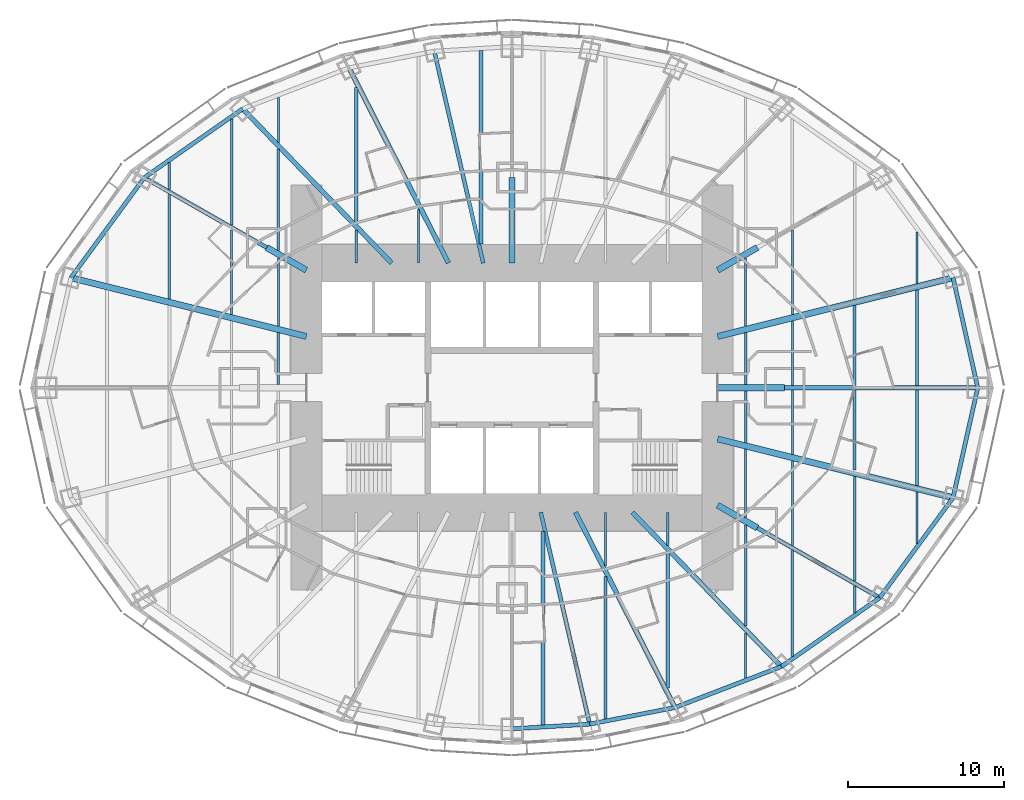
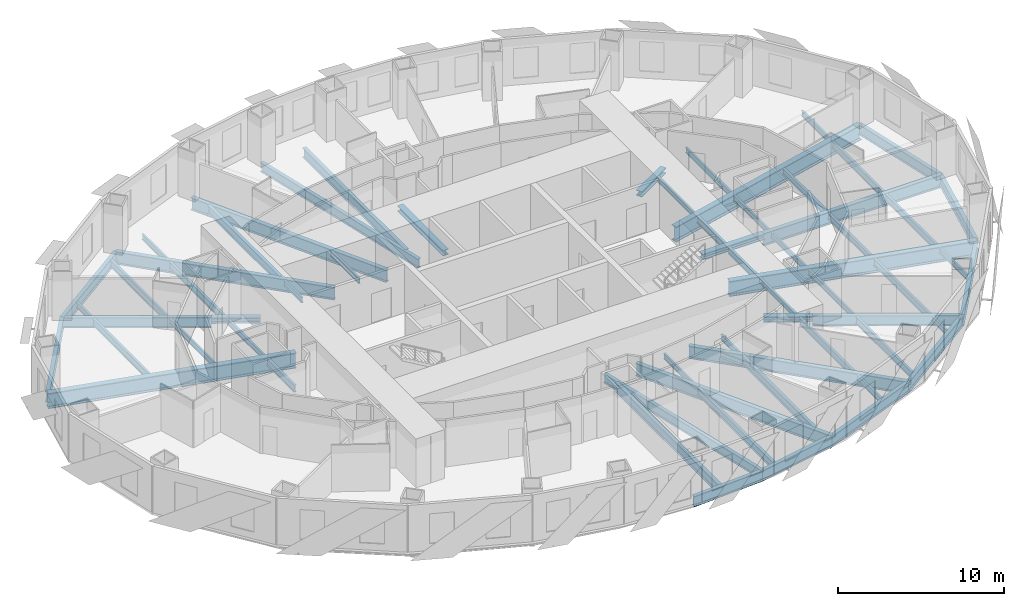
# One storey, part 2 of 15: 62 beams.
"""IFC4 building model written with IfcOpenShell, lengths in metres."""

from ifc_helpers import new_model, si_unit, direction, frame, origin, origin_2d, place, context, subcontext, project, spatial, i_section, extrude, material, material_profile, profile_set, type_object, element, save


model = new_model("IFC4")

# Units and contexts
model_context = context("Model", 3, precision=1e-05, world=origin(), true_north=direction((0.0, 1.0)))
body_context = subcontext(model_context, "Body", "Model", "MODEL_VIEW")
ifc_project = project(units=[si_unit("LENGTHUNIT", "METRE"), si_unit("AREAUNIT", "SQUARE_METRE"), si_unit("VOLUMEUNIT", "CUBIC_METRE"), si_unit("PLANEANGLEUNIT", "RADIAN"), si_unit("MASSUNIT", "GRAM", prefix="KILO")], contexts=[model_context])

# Site, building, storey
site_placement = place(None, origin())
site = spatial("IfcSite", under=ifc_project, at=site_placement, CompositionType="ELEMENT")
building_placement = place(site_placement, origin())
building = spatial("IfcBuilding", under=site, at=building_placement, Name="Lantaw Convention Tower", CompositionType="ELEMENT")
storey_placement = place(building_placement, frame((0.0, 0.0, 73.0)))
storey = spatial("IfcBuildingStorey", under=building, at=storey_placement, Name="L16", CompositionType="ELEMENT", Elevation=73.0)

# Beams
ifc_material = material(Name="Steel ASTM A992", Category="steel")
ifc_material_profile_1 = material_profile(ifc_material, i_section(OverallWidth=0.2666015625, OverallDepth=0.76953125, WebThickness=0.015625, FlangeThickness=0.025390625, FilletRadius=0.0126953125, at=origin_2d()), Name="W30X132")
ifc_profile_set_1 = profile_set([ifc_material_profile_1], Name="Steel ASTM A992")
beam_type_1 = type_object("IfcBeamType", Name="Beam E W30X132", PredefinedType="SPANDREL", material=ifc_profile_set_1)
beam_1_placement = place(storey_placement, frame((29.89990234375, 0.0, -0.534912109375), z_axis=(-0.218652184873, 0.975802860239, 0.0), x_axis=(-0.975802860239, -0.218652184873, 0.0)))
element("IfcBeam", 1, at=beam_1_placement, inside=storey, type_object=beam_type_1, Name="Edge beam 1", PredefinedType="SPANDREL", context=body_context, shape_type="SweptSolid", body=[
    extrude(i_section(OverallWidth=0.2666015625, OverallDepth=0.76953125, WebThickness=0.015625, FlangeThickness=0.025390625, FilletRadius=0.0126953125, at=origin_2d()), origin(), (0.0, 0.0, 1.0), 7.2353515625),
])
beam_2_placement = place(storey_placement, frame((-17.290771484375, 17.9052734375, -0.534912109375), z_axis=(-0.81942686407, -0.57318375277, 0.0), x_axis=(0.57318375277, -0.81942686407, 0.0)))
element("IfcBeam", 2, at=beam_2_placement, inside=storey, type_object=beam_type_1, Name="Edge beam 10", PredefinedType="SPANDREL", context=body_context, shape_type="SweptSolid", body=[
    extrude(i_section(OverallWidth=0.2666015625, OverallDepth=0.76953125, WebThickness=0.015625, FlangeThickness=0.025390625, FilletRadius=0.0126953125, at=origin_2d()), origin(), (0.0, 0.0, 1.0), 7.70556640625),
])
beam_3_placement = place(storey_placement, frame((-23.60498046875, 13.488525390625, -0.534912109375), z_axis=(-0.591270709086, -0.806473154281, 0.0), x_axis=(0.806473154281, -0.591270709086, 0.0)))
element("IfcBeam", 3, at=beam_3_placement, inside=storey, type_object=beam_type_1, Name="Edge beam 11", PredefinedType="SPANDREL", context=body_context, shape_type="SweptSolid", body=[
    extrude(i_section(OverallWidth=0.2666015625, OverallDepth=0.76953125, WebThickness=0.015625, FlangeThickness=0.025390625, FilletRadius=0.0126953125, at=origin_2d()), origin(), (0.0, 0.0, 1.0), 7.970703125),
])
beam_4_placement = place(storey_placement, frame((0.0, -21.89990234375, -0.534912109375), z_axis=(0.998173858406, 0.060406526096, 0.0), x_axis=(-0.060406526096, 0.998173858406, 0.0)))
element("IfcBeam", 4, at=beam_4_placement, inside=storey, type_object=beam_type_1, Name="Edge beam 19", PredefinedType="SPANDREL", context=body_context, shape_type="SweptSolid", body=[
    extrude(i_section(OverallWidth=0.2666015625, OverallDepth=0.76953125, WebThickness=0.015625, FlangeThickness=0.025390625, FilletRadius=0.0126953125, at=origin_2d()), origin(), (0.0, 0.0, 1.0), 4.995361328125),
])
beam_5_placement = place(storey_placement, frame((4.986328125, -21.59814453125, -0.534912109375), z_axis=(0.981636565323, 0.190760723474, 0.0), x_axis=(-0.190760723474, 0.981636565323, 0.0)))
element("IfcBeam", 5, at=beam_5_placement, inside=storey, type_object=beam_type_1, Name="Edge beam 20", PredefinedType="SPANDREL", context=body_context, shape_type="SweptSolid", body=[
    extrude(i_section(OverallWidth=0.2666015625, OverallDepth=0.76953125, WebThickness=0.015625, FlangeThickness=0.025390625, FilletRadius=0.0126953125, at=origin_2d()), origin(), (0.0, 0.0, 1.0), 5.578857421875),
])
beam_6_placement = place(storey_placement, frame((10.462646484375, -20.533935546875, -0.534912109375), z_axis=(0.933232900641, 0.359271976588, 0.0), x_axis=(-0.359271976588, 0.933232900641, 0.0)))
element("IfcBeam", 6, at=beam_6_placement, inside=storey, type_object=beam_type_1, Name="Edge beam 21", PredefinedType="SPANDREL", context=body_context, shape_type="SweptSolid", body=[
    extrude(i_section(OverallWidth=0.2666015625, OverallDepth=0.76953125, WebThickness=0.015625, FlangeThickness=0.025390625, FilletRadius=0.0126953125, at=origin_2d()), origin(), (0.0, 0.0, 1.0), 7.316650390625),
])
beam_7_placement = place(storey_placement, frame((17.290771484375, -17.9052734375, -0.534912109375), z_axis=(0.81942686407, 0.57318375277, 0.0), x_axis=(-0.57318375277, 0.81942686407, 0.0)))
element("IfcBeam", 7, at=beam_7_placement, inside=storey, type_object=beam_type_1, Name="Edge beam 22", PredefinedType="SPANDREL", context=body_context, shape_type="SweptSolid", body=[
    extrude(i_section(OverallWidth=0.2666015625, OverallDepth=0.76953125, WebThickness=0.015625, FlangeThickness=0.025390625, FilletRadius=0.0126953125, at=origin_2d()), origin(), (0.0, 0.0, 1.0), 7.70556640625),
])
beam_8_placement = place(storey_placement, frame((23.60498046875, -13.488525390625, -0.534912109375), z_axis=(0.591270709086, 0.806473154281, 0.0), x_axis=(-0.806473154281, 0.591270709086, 0.0)))
element("IfcBeam", 8, at=beam_8_placement, inside=storey, type_object=beam_type_1, Name="Edge beam 23", PredefinedType="SPANDREL", context=body_context, shape_type="SweptSolid", body=[
    extrude(i_section(OverallWidth=0.2666015625, OverallDepth=0.76953125, WebThickness=0.015625, FlangeThickness=0.025390625, FilletRadius=0.0126953125, at=origin_2d()), origin(), (0.0, 0.0, 1.0), 7.970703125),
])
beam_9_placement = place(storey_placement, frame((28.31787109375, -7.060302734375, -0.534912109375), z_axis=(0.218652184873, 0.975802860239, 0.0), x_axis=(-0.975802860239, 0.218652184873, 0.0)))
element("IfcBeam", 9, at=beam_9_placement, inside=storey, type_object=beam_type_1, Name="Edge beam 24", PredefinedType="SPANDREL", context=body_context, shape_type="SweptSolid", body=[
    extrude(i_section(OverallWidth=0.2666015625, OverallDepth=0.76953125, WebThickness=0.015625, FlangeThickness=0.025390625, FilletRadius=0.0126953125, at=origin_2d()), origin(), (0.0, 0.0, 1.0), 7.2353515625),
])
ifc_material_profile_2 = material_profile(ifc_material, i_section(OverallWidth=0.25390625, OverallDepth=0.683349609375, WebThickness=0.012451171875, FlangeThickness=0.01904296875, FilletRadius=0.01513671875, at=origin_2d()), Name="W27X94")
ifc_profile_set_2 = profile_set([ifc_material_profile_2], Name="Steel ASTM A992")
beam_type_2 = type_object("IfcBeamType", Name="Beam G W27X94", PredefinedType="BEAM", material=ifc_profile_set_2)
for number, where, z_axis, x_axis, name in (
    (10, (-1.846923828125, 8.0, -0.49169921875), (-0.224952773175, 0.97436966796, 0.0), (-0.97436966796, -0.224952773175, 0.0), "Floor girder on ray 8"),
    (11, (1.846923828125, -8.0, -0.49169921875), (0.224952773175, -0.97436966796, 0.0), (0.97436966796, 0.224952773175, 0.0), "Floor girder on ray 20"),
):
    element("IfcBeam", number, at=place(storey_placement, frame(where, z_axis=z_axis, x_axis=x_axis)), inside=storey, type_object=beam_type_2, Name=name, PredefinedType="BEAM", context=body_context, shape_type="SweptSolid", body=[
        extrude(i_section(OverallWidth=0.25390625, OverallDepth=0.683349609375, WebThickness=0.012451171875, FlangeThickness=0.01904296875, FilletRadius=0.01513671875, at=origin_2d()), origin(), (0.0, 0.0, 1.0), 13.955810546875),
    ])
ifc_material_profile_3 = material_profile(ifc_material, i_section(OverallWidth=0.2666015625, OverallDepth=0.7568359375, WebThickness=0.013916015625, FlangeThickness=0.019287109375, FilletRadius=0.0126953125, at=origin_2d()), Name="W30X108")
ifc_profile_set_3 = profile_set([ifc_material_profile_3], Name="Steel ASTM A992")
beam_type_3 = type_object("IfcBeamType", Name="Beam G W30X108", PredefinedType="BEAM", material=ifc_profile_set_3)
for number, where, z_axis, x_axis, name in (
    (12, (-15.75, 9.0, -0.528564453125), (-0.868244802791, 0.496136032179, 0.0), (-0.496136032179, -0.868244802791, 0.0), "Floor girder on ray 11"),
    (13, (15.75, -9.0, -0.528564453125), (0.868244802791, -0.496136032179, 0.0), (0.496136032179, 0.868244802791, 0.0), "Floor girder on ray 23"),
):
    element("IfcBeam", number, at=place(storey_placement, frame(where, z_axis=z_axis, x_axis=x_axis)), inside=storey, type_object=beam_type_3, Name=name, PredefinedType="BEAM", context=body_context, shape_type="SweptSolid", body=[
        extrude(i_section(OverallWidth=0.2666015625, OverallDepth=0.7568359375, WebThickness=0.013916015625, FlangeThickness=0.019287109375, FilletRadius=0.0126953125, at=origin_2d()), origin(), (0.0, 0.0, 1.0), 9.046875),
    ])
ifc_material_profile_4 = material_profile(ifc_material, i_section(OverallWidth=0.307373046875, OverallDepth=0.922119140625, WebThickness=0.018310546875, FlangeThickness=0.030029296875, FilletRadius=0.0126953125, at=origin_2d()), Name="W36X182")
ifc_profile_set_4 = profile_set([ifc_material_profile_4], Name="Steel ASTM A992")
beam_type_4 = type_object("IfcBeamType", Name="Beam G W36X182", PredefinedType="BEAM", material=ifc_profile_set_4)
beam_10_placement = place(storey_placement, frame((17.5, 0.0, -0.611083984375), z_axis=(1.0, 0.0, 0.0), x_axis=(0.0, 1.0, 0.0)))
element("IfcBeam", 14, at=beam_10_placement, inside=storey, type_object=beam_type_4, Name="Floor girder on ray 1", PredefinedType="BEAM", context=body_context, shape_type="SweptSolid", body=[
    extrude(i_section(OverallWidth=0.307373046875, OverallDepth=0.922119140625, WebThickness=0.018310546875, FlangeThickness=0.030029296875, FilletRadius=0.0126953125, at=origin_2d()), origin(), (0.0, 0.0, 1.0), 12.39990234375),
])
beam_11_placement = place(storey_placement, frame((-4.076171875, 8.0, -0.611083984375), z_axis=(-0.453997016122, 0.891003203896, 0.0), x_axis=(-0.891003203896, -0.453997016122, 0.0)))
element("IfcBeam", 15, at=beam_11_placement, inside=storey, type_object=beam_type_4, Name="Floor girder on ray 9", PredefinedType="BEAM", context=body_context, shape_type="SweptSolid", body=[
    extrude(i_section(OverallWidth=0.307373046875, OverallDepth=0.922119140625, WebThickness=0.018310546875, FlangeThickness=0.030029296875, FilletRadius=0.0126953125, at=origin_2d()), origin(), (0.0, 0.0, 1.0), 14.067138671875),
])
beam_12_placement = place(storey_placement, frame((-7.7255859375, 8.0, -0.611083984375), z_axis=(-0.694649884291, 0.719347995239, 0.0), x_axis=(-0.719347995239, -0.694649884291, 0.0)))
element("IfcBeam", 16, at=beam_12_placement, inside=storey, type_object=beam_type_4, Name="Floor girder on ray 10", PredefinedType="BEAM", context=body_context, shape_type="SweptSolid", body=[
    extrude(i_section(OverallWidth=0.307373046875, OverallDepth=0.922119140625, WebThickness=0.018310546875, FlangeThickness=0.030029296875, FilletRadius=0.0126953125, at=origin_2d()), origin(), (0.0, 0.0, 1.0), 13.769775390625),
])
beam_13_placement = place(storey_placement, frame((4.076171875, -8.0, -0.611083984375), z_axis=(0.453997016122, -0.891003203896, 0.0), x_axis=(0.891003203896, 0.453997016122, 0.0)))
element("IfcBeam", 17, at=beam_13_placement, inside=storey, type_object=beam_type_4, Name="Floor girder on ray 21", PredefinedType="BEAM", context=body_context, shape_type="SweptSolid", body=[
    extrude(i_section(OverallWidth=0.307373046875, OverallDepth=0.922119140625, WebThickness=0.018310546875, FlangeThickness=0.030029296875, FilletRadius=0.0126953125, at=origin_2d()), origin(), (0.0, 0.0, 1.0), 14.067138671875),
])
beam_14_placement = place(storey_placement, frame((7.7255859375, -8.0, -0.611083984375), z_axis=(0.694649884291, -0.719347995239, 0.0), x_axis=(0.719347995239, 0.694649884291, 0.0)))
element("IfcBeam", 18, at=beam_14_placement, inside=storey, type_object=beam_type_4, Name="Floor girder on ray 22", PredefinedType="BEAM", context=body_context, shape_type="SweptSolid", body=[
    extrude(i_section(OverallWidth=0.307373046875, OverallDepth=0.922119140625, WebThickness=0.018310546875, FlangeThickness=0.030029296875, FilletRadius=0.0126953125, at=origin_2d()), origin(), (0.0, 0.0, 1.0), 13.769775390625),
])
ifc_material_profile_5 = material_profile(ifc_material, i_section(OverallWidth=0.40380859375, OverallDepth=1.11767578125, WebThickness=0.026123046875, FlangeThickness=0.044921875, FilletRadius=0.02001953125, at=origin_2d()), Name="W44X335")
ifc_profile_set_5 = profile_set([ifc_material_profile_5], Name="Steel ASTM A992")
beam_type_5 = type_object("IfcBeamType", Name="Beam G W44X335", PredefinedType="BEAM", material=ifc_profile_set_5)
for number, where, z_axis, x_axis, name in (
    (19, (13.199951171875, 3.291015625, -0.708740234375), (0.970296233567, 0.241919860957, 0.0), (-0.241919860957, 0.970296233567, 0.0), "Floor girder on ray 2"),
    (20, (-13.199951171875, 3.291015625, -0.708740234375), (-0.970296233567, 0.241919860957, 0.0), (-0.241919860957, -0.970296233567, 0.0), "Floor girder on ray 12"),
    (21, (13.199951171875, -3.291015625, -0.708740234375), (0.970296233567, -0.241919860957, 0.0), (0.241919860957, 0.970296233567, 0.0), "Floor girder on ray 24"),
):
    element("IfcBeam", number, at=place(storey_placement, frame(where, z_axis=z_axis, x_axis=x_axis)), inside=storey, type_object=beam_type_5, Name=name, PredefinedType="BEAM", context=body_context, shape_type="SweptSolid", body=[
        extrude(i_section(OverallWidth=0.40380859375, OverallDepth=1.11767578125, WebThickness=0.026123046875, FlangeThickness=0.044921875, FilletRadius=0.02001953125, at=origin_2d()), origin(), (0.0, 0.0, 1.0), 15.580810546875),
    ])
ifc_material_profile_6 = material_profile(ifc_material, i_section(OverallWidth=0.40380859375, OverallDepth=0.406494140625, WebThickness=0.027099609375, FlangeThickness=0.043701171875, FilletRadius=0.01513671875, at=origin_2d()), Name="W14X233")
ifc_profile_set_6 = profile_set([ifc_material_profile_6], Name="Steel ASTM A992")
beam_type_6 = type_object("IfcBeamType", Name="Beam GM W14X233", PredefinedType="BEAM", material=ifc_profile_set_6)
beam_15_placement = place(storey_placement, frame((13.199951171875, 0.0, -0.353271484375), z_axis=(1.0, 0.0, 0.0), x_axis=(0.0, 1.0, 0.0)))
element("IfcBeam", 22, at=beam_15_placement, inside=storey, type_object=beam_type_6, Name="Core link beam on ray 1", PredefinedType="BEAM", context=body_context, shape_type="SweptSolid", body=[
    extrude(i_section(OverallWidth=0.40380859375, OverallDepth=0.406494140625, WebThickness=0.027099609375, FlangeThickness=0.043701171875, FilletRadius=0.01513671875, at=origin_2d()), origin(), (0.0, 0.0, 1.0), 4.300048828125),
])
beam_16_placement = place(storey_placement, frame((13.199951171875, 7.54296875, -0.353271484375), z_axis=(0.868263603466, 0.496103129295, 0.0), x_axis=(-0.496103129295, 0.868263603466, 0.0)))
element("IfcBeam", 23, at=beam_16_placement, inside=storey, type_object=beam_type_6, Name="Core link beam on ray 3", PredefinedType="BEAM", context=body_context, shape_type="SweptSolid", body=[
    extrude(i_section(OverallWidth=0.40380859375, OverallDepth=0.406494140625, WebThickness=0.027099609375, FlangeThickness=0.043701171875, FilletRadius=0.01513671875, at=origin_2d()), origin(), (0.0, 0.0, 1.0), 2.93701171875),
])
beam_17_placement = place(storey_placement, frame((0.0, 8.0, -0.353271484375), z_axis=(0.0, 1.0, 0.0), x_axis=(-1.0, 0.0, 0.0)))
element("IfcBeam", 24, at=beam_17_placement, inside=storey, type_object=beam_type_6, Name="Core link beam on ray 7", PredefinedType="BEAM", context=body_context, shape_type="SweptSolid", body=[
    extrude(i_section(OverallWidth=0.40380859375, OverallDepth=0.406494140625, WebThickness=0.027099609375, FlangeThickness=0.043701171875, FilletRadius=0.01513671875, at=origin_2d()), origin(), (0.0, 0.0, 1.0), 5.5),
])
for number, where, z_axis, x_axis, name in (
    (25, (-13.199951171875, 7.54296875, -0.353271484375), (-0.868263603466, 0.496103129295, 0.0), (-0.496103129295, -0.868263603466, 0.0), "Core link beam on ray 11"),
    (26, (13.199951171875, -7.54296875, -0.353271484375), (0.868263603466, -0.496103129295, 0.0), (0.496103129295, 0.868263603466, 0.0), "Core link beam on ray 23"),
):
    element("IfcBeam", number, at=place(storey_placement, frame(where, z_axis=z_axis, x_axis=x_axis)), inside=storey, type_object=beam_type_6, Name=name, PredefinedType="BEAM", context=body_context, shape_type="SweptSolid", body=[
        extrude(i_section(OverallWidth=0.40380859375, OverallDepth=0.406494140625, WebThickness=0.027099609375, FlangeThickness=0.043701171875, FilletRadius=0.01513671875, at=origin_2d()), origin(), (0.0, 0.0, 1.0), 2.93701171875),
    ])
ifc_material_profile_7 = material_profile(ifc_material, i_section(OverallWidth=0.140380859375, OverallDepth=0.40380859375, WebThickness=0.007080078125, FlangeThickness=0.01123046875, FilletRadius=0.01025390625, at=origin_2d()), Name="W16X31")
ifc_profile_set_7 = profile_set([ifc_material_profile_7], Name="Steel ASTM A992")
beam_type_7 = type_object("IfcBeamType", Name="Beam J W16X31", PredefinedType="JOIST", material=ifc_profile_set_7)
beam_18_placement = place(storey_placement, frame((-22.0, 12.72509765625, -0.35205078125), z_axis=(0.0, 1.0, 0.0), x_axis=(-1.0, 0.0, 0.0)))
element("IfcBeam", 27, at=beam_18_placement, inside=storey, type_object=beam_type_7, Name="Floor joist", PredefinedType="JOIST", context=body_context, shape_type="SweptSolid", body=[
    extrude(i_section(OverallWidth=0.140380859375, OverallDepth=0.40380859375, WebThickness=0.007080078125, FlangeThickness=0.01123046875, FilletRadius=0.01025390625, at=origin_2d()), origin(), (0.0, 0.0, 1.0), 1.723388671875),
])
beam_19_placement = place(storey_placement, frame((-18.0, 4.696044921875, -0.35205078125), z_axis=(0.0, 1.0, 0.0), x_axis=(-1.0, 0.0, 0.0)))
element("IfcBeam", 28, at=beam_19_placement, inside=storey, type_object=beam_type_7, Name="Floor joist", PredefinedType="JOIST", context=body_context, shape_type="SweptSolid", body=[
    extrude(i_section(OverallWidth=0.140380859375, OverallDepth=0.40380859375, WebThickness=0.007080078125, FlangeThickness=0.01123046875, FilletRadius=0.01025390625, at=origin_2d()), origin(), (0.0, 0.0, 1.0), 5.43603515625),
])
beam_20_placement = place(storey_placement, frame((-15.0, 3.947998046875, -0.35205078125), z_axis=(0.0, 1.0, 0.0), x_axis=(-1.0, 0.0, 0.0)))
element("IfcBeam", 29, at=beam_20_placement, inside=storey, type_object=beam_type_7, Name="Floor joist", PredefinedType="JOIST", context=body_context, shape_type="SweptSolid", body=[
    extrude(i_section(OverallWidth=0.140380859375, OverallDepth=0.40380859375, WebThickness=0.007080078125, FlangeThickness=0.01123046875, FilletRadius=0.01025390625, at=origin_2d()), origin(), (0.0, 0.0, 1.0), 4.390869140625),
])
beam_21_placement = place(storey_placement, frame((-15.0, 15.754150390625, -0.35205078125), z_axis=(0.0, 1.0, 0.0), x_axis=(-1.0, 0.0, 0.0)))
element("IfcBeam", 30, at=beam_21_placement, inside=storey, type_object=beam_type_7, Name="Floor joist", PredefinedType="JOIST", context=body_context, shape_type="SweptSolid", body=[
    extrude(i_section(OverallWidth=0.140380859375, OverallDepth=0.40380859375, WebThickness=0.007080078125, FlangeThickness=0.01123046875, FilletRadius=0.01025390625, at=origin_2d()), origin(), (0.0, 0.0, 1.0), 2.89013671875),
])
beam_22_placement = place(storey_placement, frame((-10.0, 8.0, -0.35205078125), z_axis=(0.0, 1.0, 0.0), x_axis=(-1.0, 0.0, 0.0)))
element("IfcBeam", 31, at=beam_22_placement, inside=storey, type_object=beam_type_7, Name="Floor joist", PredefinedType="JOIST", context=body_context, shape_type="SweptSolid", body=[
    extrude(i_section(OverallWidth=0.140380859375, OverallDepth=0.40380859375, WebThickness=0.007080078125, FlangeThickness=0.01123046875, FilletRadius=0.01025390625, at=origin_2d()), origin(), (0.0, 0.0, 1.0), 2.134033203125),
])
for number, where, z_axis, x_axis, name in (
    (32, (-6.0, 8.0, -0.35205078125), (0.0, 1.0, 0.0), (-1.0, 0.0, 0.0), "Floor joist"),
    (33, (6.0, -11.437255859375, -0.35205078125), (0.0, 1.0, 0.0), (-1.0, 0.0, 0.0), "Floor joist"),
):
    element("IfcBeam", number, at=place(storey_placement, frame(where, z_axis=z_axis, x_axis=x_axis)), inside=storey, type_object=beam_type_7, Name=name, PredefinedType="JOIST", context=body_context, shape_type="SweptSolid", body=[
        extrude(i_section(OverallWidth=0.140380859375, OverallDepth=0.40380859375, WebThickness=0.007080078125, FlangeThickness=0.01123046875, FilletRadius=0.01025390625, at=origin_2d()), origin(), (0.0, 0.0, 1.0), 3.437255859375),
    ])
beam_23_placement = place(storey_placement, frame((10.0, -10.134033203125, -0.35205078125), z_axis=(0.0, 1.0, 0.0), x_axis=(-1.0, 0.0, 0.0)))
element("IfcBeam", 34, at=beam_23_placement, inside=storey, type_object=beam_type_7, Name="Floor joist", PredefinedType="JOIST", context=body_context, shape_type="SweptSolid", body=[
    extrude(i_section(OverallWidth=0.140380859375, OverallDepth=0.40380859375, WebThickness=0.007080078125, FlangeThickness=0.01123046875, FilletRadius=0.01025390625, at=origin_2d()), origin(), (0.0, 0.0, 1.0), 2.134033203125),
])
beam_24_placement = place(storey_placement, frame((15.0, -18.644287109375, -0.35205078125), z_axis=(0.0, 1.0, 0.0), x_axis=(-1.0, 0.0, 0.0)))
element("IfcBeam", 35, at=beam_24_placement, inside=storey, type_object=beam_type_7, Name="Floor joist", PredefinedType="JOIST", context=body_context, shape_type="SweptSolid", body=[
    extrude(i_section(OverallWidth=0.140380859375, OverallDepth=0.40380859375, WebThickness=0.007080078125, FlangeThickness=0.01123046875, FilletRadius=0.01025390625, at=origin_2d()), origin(), (0.0, 0.0, 1.0), 2.89013671875),
])
for number, where, z_axis, x_axis, name in (
    (36, (15.0, -8.3388671875, -0.35205078125), (0.0, 1.0, 0.0), (-1.0, 0.0, 0.0), "Floor joist"),
    (37, (15.0, 3.947998046875, -0.35205078125), (0.0, 1.0, 0.0), (-1.0, 0.0, 0.0), "Floor joist"),
):
    element("IfcBeam", number, at=place(storey_placement, frame(where, z_axis=z_axis, x_axis=x_axis)), inside=storey, type_object=beam_type_7, Name=name, PredefinedType="JOIST", context=body_context, shape_type="SweptSolid", body=[
        extrude(i_section(OverallWidth=0.140380859375, OverallDepth=0.40380859375, WebThickness=0.007080078125, FlangeThickness=0.01123046875, FilletRadius=0.01025390625, at=origin_2d()), origin(), (0.0, 0.0, 1.0), 4.390869140625),
    ])
beam_25_placement = place(storey_placement, frame((18.0, -10.132080078125, -0.35205078125), z_axis=(0.0, 1.0, 0.0), x_axis=(-1.0, 0.0, 0.0)))
element("IfcBeam", 38, at=beam_25_placement, inside=storey, type_object=beam_type_7, Name="Floor joist", PredefinedType="JOIST", context=body_context, shape_type="SweptSolid", body=[
    extrude(i_section(OverallWidth=0.140380859375, OverallDepth=0.40380859375, WebThickness=0.007080078125, FlangeThickness=0.01123046875, FilletRadius=0.01025390625, at=origin_2d()), origin(), (0.0, 0.0, 1.0), 5.43603515625),
])
for number, where, z_axis, x_axis, name in (
    (39, (18.0, -4.27978515625, -0.35205078125), (0.0, 1.0, 0.0), (-1.0, 0.0, 0.0), "Floor joist"),
    (40, (18.0, 0.153564453125, -0.35205078125), (0.0, 1.0, 0.0), (-1.0, 0.0, 0.0), "Floor joist"),
):
    element("IfcBeam", number, at=place(storey_placement, frame(where, z_axis=z_axis, x_axis=x_axis)), inside=storey, type_object=beam_type_7, Name=name, PredefinedType="JOIST", context=body_context, shape_type="SweptSolid", body=[
        extrude(i_section(OverallWidth=0.140380859375, OverallDepth=0.40380859375, WebThickness=0.007080078125, FlangeThickness=0.01123046875, FilletRadius=0.01025390625, at=origin_2d()), origin(), (0.0, 0.0, 1.0), 4.126220703125),
    ])
beam_26_placement = place(storey_placement, frame((18.0, 4.696044921875, -0.35205078125), z_axis=(0.0, 1.0, 0.0), x_axis=(-1.0, 0.0, 0.0)))
element("IfcBeam", 41, at=beam_26_placement, inside=storey, type_object=beam_type_7, Name="Floor joist", PredefinedType="JOIST", context=body_context, shape_type="SweptSolid", body=[
    extrude(i_section(OverallWidth=0.140380859375, OverallDepth=0.40380859375, WebThickness=0.007080078125, FlangeThickness=0.01123046875, FilletRadius=0.01025390625, at=origin_2d()), origin(), (0.0, 0.0, 1.0), 5.43603515625),
])
beam_27_placement = place(storey_placement, frame((22.0, -14.448486328125, -0.35205078125), z_axis=(0.0, 1.0, 0.0), x_axis=(-1.0, 0.0, 0.0)))
element("IfcBeam", 42, at=beam_27_placement, inside=storey, type_object=beam_type_7, Name="Floor joist", PredefinedType="JOIST", context=body_context, shape_type="SweptSolid", body=[
    extrude(i_section(OverallWidth=0.140380859375, OverallDepth=0.40380859375, WebThickness=0.007080078125, FlangeThickness=0.01123046875, FilletRadius=0.01025390625, at=origin_2d()), origin(), (0.0, 0.0, 1.0), 1.723388671875),
])
for number, where, z_axis, x_axis, name in (
    (43, (26.0, -9.996337890625, -0.35205078125), (0.0, 1.0, 0.0), (-1.0, 0.0, 0.0), "Floor joist"),
    (44, (26.0, 6.690673828125, -0.35205078125), (0.0, 1.0, 0.0), (-1.0, 0.0, 0.0), "Floor joist"),
):
    element("IfcBeam", number, at=place(storey_placement, frame(where, z_axis=z_axis, x_axis=x_axis)), inside=storey, type_object=beam_type_7, Name=name, PredefinedType="JOIST", context=body_context, shape_type="SweptSolid", body=[
        extrude(i_section(OverallWidth=0.140380859375, OverallDepth=0.40380859375, WebThickness=0.007080078125, FlangeThickness=0.01123046875, FilletRadius=0.01025390625, at=origin_2d()), origin(), (0.0, 0.0, 1.0), 3.3056640625),
    ])
ifc_material_profile_8 = material_profile(ifc_material, i_section(OverallWidth=0.1904296875, OverallDepth=0.457275390625, WebThickness=0.009033203125, FlangeThickness=0.014404296875, FilletRadius=0.01025390625, at=origin_2d()), Name="W18X50")
ifc_profile_set_8 = profile_set([ifc_material_profile_8], Name="Steel ASTM A992")
beam_type_8 = type_object("IfcBeamType", Name="Beam J W18X50", PredefinedType="JOIST", material=ifc_profile_set_8)
for number, where, z_axis, x_axis, name in (
    (45, (22.0, -5.277099609375, -0.378662109375), (0.0, 1.0, 0.0), (-1.0, 0.0, 0.0), "Floor joist"),
    (46, (22.0, 0.153564453125, -0.378662109375), (0.0, 1.0, 0.0), (-1.0, 0.0, 0.0), "Floor joist"),
):
    element("IfcBeam", number, at=place(storey_placement, frame(where, z_axis=z_axis, x_axis=x_axis)), inside=storey, type_object=beam_type_8, Name=name, PredefinedType="JOIST", context=body_context, shape_type="SweptSolid", body=[
        extrude(i_section(OverallWidth=0.1904296875, OverallDepth=0.457275390625, WebThickness=0.009033203125, FlangeThickness=0.014404296875, FilletRadius=0.01025390625, at=origin_2d()), origin(), (0.0, 0.0, 1.0), 5.12353515625),
    ])
ifc_material_profile_9 = material_profile(ifc_material, i_section(OverallWidth=0.1650390625, OverallDepth=0.52587890625, WebThickness=0.0087890625, FlangeThickness=0.011474609375, FilletRadius=0.0126953125, at=origin_2d()), Name="W21X44")
ifc_profile_set_9 = profile_set([ifc_material_profile_9], Name="Steel ASTM A992")
beam_type_9 = type_object("IfcBeamType", Name="Beam J W21X44", PredefinedType="JOIST", material=ifc_profile_set_9)
beam_28_placement = place(storey_placement, frame((-22.0, 5.693359375, -0.412841796875), z_axis=(0.0, 1.0, 0.0), x_axis=(-1.0, 0.0, 0.0)))
element("IfcBeam", 47, at=beam_28_placement, inside=storey, type_object=beam_type_9, Name="Floor joist", PredefinedType="JOIST", context=body_context, shape_type="SweptSolid", body=[
    extrude(i_section(OverallWidth=0.1650390625, OverallDepth=0.52587890625, WebThickness=0.0087890625, FlangeThickness=0.011474609375, FilletRadius=0.0126953125, at=origin_2d()), origin(), (0.0, 0.0, 1.0), 6.724609375),
])
beam_29_placement = place(storey_placement, frame((-18.0, 10.439208984375, -0.412841796875), z_axis=(0.0, 1.0, 0.0), x_axis=(-1.0, 0.0, 0.0)))
element("IfcBeam", 48, at=beam_29_placement, inside=storey, type_object=beam_type_9, Name="Floor joist", PredefinedType="JOIST", context=body_context, shape_type="SweptSolid", body=[
    extrude(i_section(OverallWidth=0.1650390625, OverallDepth=0.52587890625, WebThickness=0.0087890625, FlangeThickness=0.011474609375, FilletRadius=0.0126953125, at=origin_2d()), origin(), (0.0, 0.0, 1.0), 6.80712890625),
])
for number, where, z_axis, x_axis, name in (
    (49, (-15.0, 8.803955078125, -0.412841796875), (0.0, 1.0, 0.0), (-1.0, 0.0, 0.0), "Floor joist"),
    (50, (15.0, -15.311767578125, -0.412841796875), (0.0, 1.0, 0.0), (-1.0, 0.0, 0.0), "Floor joist"),
):
    element("IfcBeam", number, at=place(storey_placement, frame(where, z_axis=z_axis, x_axis=x_axis)), inside=storey, type_object=beam_type_9, Name=name, PredefinedType="JOIST", context=body_context, shape_type="SweptSolid", body=[
        extrude(i_section(OverallWidth=0.1650390625, OverallDepth=0.52587890625, WebThickness=0.0087890625, FlangeThickness=0.011474609375, FilletRadius=0.0126953125, at=origin_2d()), origin(), (0.0, 0.0, 1.0), 6.5078125),
    ])
beam_30_placement = place(storey_placement, frame((18.0, -17.246337890625, -0.412841796875), z_axis=(0.0, 1.0, 0.0), x_axis=(-1.0, 0.0, 0.0)))
element("IfcBeam", 51, at=beam_30_placement, inside=storey, type_object=beam_type_9, Name="Floor joist", PredefinedType="JOIST", context=body_context, shape_type="SweptSolid", body=[
    extrude(i_section(OverallWidth=0.1650390625, OverallDepth=0.52587890625, WebThickness=0.0087890625, FlangeThickness=0.011474609375, FilletRadius=0.0126953125, at=origin_2d()), origin(), (0.0, 0.0, 1.0), 6.80712890625),
])
beam_31_placement = place(storey_placement, frame((22.0, -12.41796875, -0.412841796875), z_axis=(0.0, 1.0, 0.0), x_axis=(-1.0, 0.0, 0.0)))
element("IfcBeam", 52, at=beam_31_placement, inside=storey, type_object=beam_type_9, Name="Floor joist", PredefinedType="JOIST", context=body_context, shape_type="SweptSolid", body=[
    extrude(i_section(OverallWidth=0.1650390625, OverallDepth=0.52587890625, WebThickness=0.0087890625, FlangeThickness=0.011474609375, FilletRadius=0.0126953125, at=origin_2d()), origin(), (0.0, 0.0, 1.0), 6.724609375),
])
ifc_material_profile_10 = material_profile(ifc_material, i_section(OverallWidth=0.165771484375, OverallDepth=0.5283203125, WebThickness=0.009765625, FlangeThickness=0.013671875, FilletRadius=0.012939453125, at=origin_2d()), Name="W21X50")
ifc_profile_set_10 = profile_set([ifc_material_profile_10], Name="Steel ASTM A992")
beam_type_10 = type_object("IfcBeamType", Name="Beam J W21X50", PredefinedType="JOIST", material=ifc_profile_set_10)
for number, where, z_axis, x_axis, name in (
    (53, (-15.0, 0.201904296875, -0.4140625), (0.0, 1.0, 0.0), (-1.0, 0.0, 0.0), "Floor joist"),
    (54, (15.0, -3.53173828125, -0.4140625), (0.0, 1.0, 0.0), (-1.0, 0.0, 0.0), "Floor joist"),
    (55, (15.0, 0.201904296875, -0.4140625), (0.0, 1.0, 0.0), (-1.0, 0.0, 0.0), "Floor joist"),
):
    element("IfcBeam", number, at=place(storey_placement, frame(where, z_axis=z_axis, x_axis=x_axis)), inside=storey, type_object=beam_type_10, Name=name, PredefinedType="JOIST", context=body_context, shape_type="SweptSolid", body=[
        extrude(i_section(OverallWidth=0.165771484375, OverallDepth=0.5283203125, WebThickness=0.009765625, FlangeThickness=0.013671875, FilletRadius=0.012939453125, at=origin_2d()), origin(), (0.0, 0.0, 1.0), 3.329833984375),
    ])
for number, where, z_axis, x_axis, name in (
    (56, (26.0, -6.2744140625, -0.4140625), (0.0, 1.0, 0.0), (-1.0, 0.0, 0.0), "Floor joist"),
    (57, (26.0, 0.153564453125, -0.4140625), (0.0, 1.0, 0.0), (-1.0, 0.0, 0.0), "Floor joist"),
):
    element("IfcBeam", number, at=place(storey_placement, frame(where, z_axis=z_axis, x_axis=x_axis)), inside=storey, type_object=beam_type_10, Name=name, PredefinedType="JOIST", context=body_context, shape_type="SweptSolid", body=[
        extrude(i_section(OverallWidth=0.165771484375, OverallDepth=0.5283203125, WebThickness=0.009765625, FlangeThickness=0.013671875, FilletRadius=0.012939453125, at=origin_2d()), origin(), (0.0, 0.0, 1.0), 6.120849609375),
    ])
ifc_material_profile_11 = material_profile(ifc_material, i_section(OverallWidth=0.2099609375, OverallDepth=0.535888671875, WebThickness=0.010986328125, FlangeThickness=0.017333984375, FilletRadius=0.012939453125, at=origin_2d()), Name="W21X68")
ifc_profile_set_11 = profile_set([ifc_material_profile_11], Name="Steel ASTM A992")
beam_type_11 = type_object("IfcBeamType", Name="Beam J W21X68", PredefinedType="JOIST", material=ifc_profile_set_11)
beam_32_placement = place(storey_placement, frame((6.0, -21.26513671875, -0.41796875), z_axis=(0.0, 1.0, 0.0), x_axis=(-1.0, 0.0, 0.0)))
element("IfcBeam", 58, at=beam_32_placement, inside=storey, type_object=beam_type_11, Name="Floor joist", PredefinedType="JOIST", context=body_context, shape_type="SweptSolid", body=[
    extrude(i_section(OverallWidth=0.2099609375, OverallDepth=0.535888671875, WebThickness=0.010986328125, FlangeThickness=0.017333984375, FilletRadius=0.012939453125, at=origin_2d()), origin(), (0.0, 0.0, 1.0), 9.15087890625),
])
ifc_material_profile_12 = material_profile(ifc_material, i_section(OverallWidth=0.227783203125, OverallDepth=0.60205078125, WebThickness=0.010498046875, FlangeThickness=0.014892578125, FilletRadius=0.012939453125, at=origin_2d()), Name="W24X68")
ifc_profile_set_12 = profile_set([ifc_material_profile_12], Name="Steel ASTM A992")
beam_type_12 = type_object("IfcBeamType", Name="Beam J W24X68", PredefinedType="JOIST", material=ifc_profile_set_12)
for number, where, z_axis, x_axis, name in (
    (59, (-10.0, 10.576416015625, -0.450927734375), (0.0, 1.0, 0.0), (-1.0, 0.0, 0.0), "Floor joist"),
    (60, (10.0, -19.28759765625, -0.450927734375), (0.0, 1.0, 0.0), (-1.0, 0.0, 0.0), "Floor joist"),
):
    element("IfcBeam", number, at=place(storey_placement, frame(where, z_axis=z_axis, x_axis=x_axis)), inside=storey, type_object=beam_type_12, Name=name, PredefinedType="JOIST", context=body_context, shape_type="SweptSolid", body=[
        extrude(i_section(OverallWidth=0.227783203125, OverallDepth=0.60205078125, WebThickness=0.010498046875, FlangeThickness=0.014892578125, FilletRadius=0.012939453125, at=origin_2d()), origin(), (0.0, 0.0, 1.0), 8.711181640625),
    ])
ifc_material_profile_13 = material_profile(ifc_material, i_section(OverallWidth=0.25390625, OverallDepth=0.700927734375, WebThickness=0.015380859375, FlangeThickness=0.02783203125, FilletRadius=0.01513671875, at=origin_2d()), Name="W27X129")
ifc_profile_set_13 = profile_set([ifc_material_profile_13], Name="Steel ASTM A992")
beam_type_13 = type_object("IfcBeamType", Name="Beam J W27X129", PredefinedType="JOIST", material=ifc_profile_set_13)
for number, where, z_axis, x_axis, name in (
    (61, (-2.0, 9.2275390625, -0.50048828125), (0.0, 1.0, 0.0), (-1.0, 0.0, 0.0), "Floor joist"),
    (62, (2.0, -21.645263671875, -0.50048828125), (0.0, 1.0, 0.0), (-1.0, 0.0, 0.0), "Floor joist"),
):
    element("IfcBeam", number, at=place(storey_placement, frame(where, z_axis=z_axis, x_axis=x_axis)), inside=storey, type_object=beam_type_13, Name=name, PredefinedType="JOIST", context=body_context, shape_type="SweptSolid", body=[
        extrude(i_section(OverallWidth=0.25390625, OverallDepth=0.700927734375, WebThickness=0.015380859375, FlangeThickness=0.02783203125, FilletRadius=0.01513671875, at=origin_2d()), origin(), (0.0, 0.0, 1.0), 12.417724609375),
    ])

save(model, "model.ifc")
